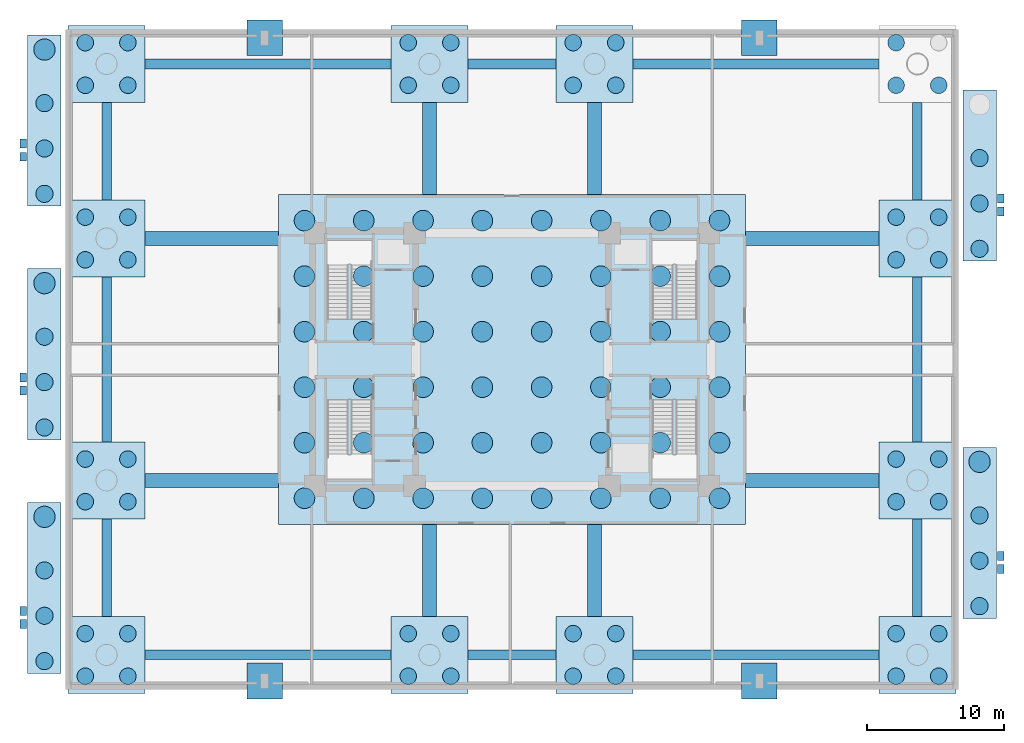
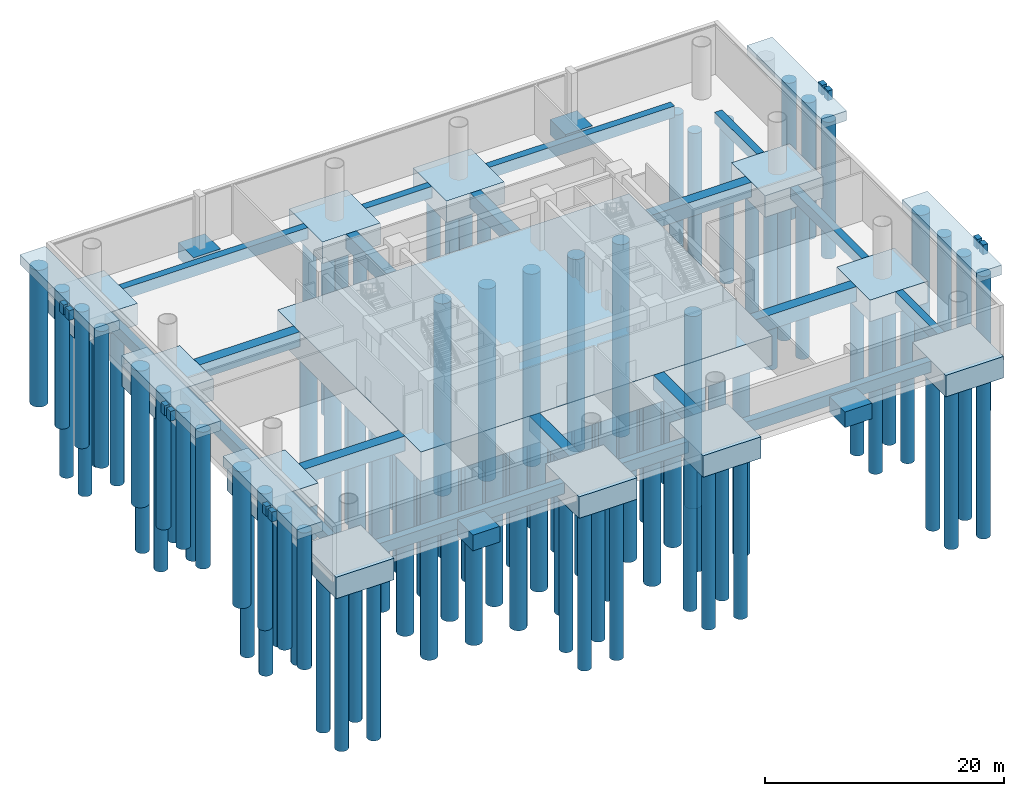
# One storey, part 1 of 7: 114 piles, 51 footings.
"""IFC4 building model written with IfcOpenShell, lengths in metres."""

from ifc_helpers import new_model, si_unit, direction, frame, origin, origin_2d, place, context, subcontext, project, spatial, rectangle, circle, extrude, source, transform, mapped, material, layer, layer_set, material_profile, profile_set, type_object, element, save


model = new_model("IFC4")

# Units and contexts
model_context = context("Model", 3, precision=1e-05, world=origin(), true_north=direction((0.0, 1.0)))
body_context = subcontext(model_context, "Body", "Model", "MODEL_VIEW")
ifc_project = project(units=[si_unit("LENGTHUNIT", "METRE"), si_unit("AREAUNIT", "SQUARE_METRE"), si_unit("VOLUMEUNIT", "CUBIC_METRE"), si_unit("PLANEANGLEUNIT", "RADIAN"), si_unit("MASSUNIT", "GRAM", prefix="KILO")], contexts=[model_context])

# Site, building, storey
site_placement = place(None, origin())
site = spatial("IfcSite", under=ifc_project, at=site_placement, CompositionType="ELEMENT")
building_placement = place(site_placement, origin())
building = spatial("IfcBuilding", under=site, at=building_placement, Name="Zahravan Cultural Tower", CompositionType="ELEMENT")
storey_placement = place(building_placement, frame((0.0, 0.0, -5.39990234375)))
storey = spatial("IfcBuildingStorey", under=building, at=storey_placement, Name="B1", CompositionType="ELEMENT", Elevation=-5.39990234375)

# Piles
ifc_material_1 = material(Name="Concrete C45/55", Category="concrete")
ifc_material_profile_1 = material_profile(ifc_material_1, circle(Radius=0.60009765625, at=origin_2d()), Name="PILE-D1200")
ifc_profile_set_1 = profile_set([ifc_material_profile_1], Name="Concrete C45/55")
pile_type_1 = type_object("IfcPileType", Name="PILE-BORED-1200", PredefinedType="BORED", material=ifc_profile_set_1)
for number, where, z_axis, x_axis, name in (
    (1, (4.949951171875, 3.949951171875, -2.10009765625), (0.0, 0.0, -1.0), (1.0, 0.0, 0.0), "Cap Bored Pile C01"),
    (2, (4.949951171875, 7.050048828125, -2.10009765625), (0.0, 0.0, -1.0), (1.0, 0.0, 0.0), "Cap Bored Pile C02"),
    (3, (8.050048828125, 3.949951171875, -2.10009765625), (0.0, 0.0, -1.0), (1.0, 0.0, 0.0), "Cap Bored Pile C03"),
    (4, (8.050048828125, 7.050048828125, -2.10009765625), (0.0, 0.0, -1.0), (1.0, 0.0, 0.0), "Cap Bored Pile C04"),
    (5, (28.449951171875, 3.949951171875, -2.10009765625), (0.0, 0.0, -1.0), (1.0, 0.0, 0.0), "Cap Bored Pile C05"),
    (6, (28.449951171875, 7.050048828125, -2.10009765625), (0.0, 0.0, -1.0), (1.0, 0.0, 0.0), "Cap Bored Pile C06"),
    (7, (31.550048828125, 3.949951171875, -2.10009765625), (0.0, 0.0, -1.0), (1.0, 0.0, 0.0), "Cap Bored Pile C07"),
    (8, (31.550048828125, 7.050048828125, -2.10009765625), (0.0, 0.0, -1.0), (1.0, 0.0, 0.0), "Cap Bored Pile C08"),
    (9, (40.449951171875, 3.949951171875, -2.10009765625), (0.0, 0.0, -1.0), (1.0, 0.0, 0.0), "Cap Bored Pile C09"),
    (10, (40.449951171875, 7.050048828125, -2.10009765625), (0.0, 0.0, -1.0), (1.0, 0.0, 0.0), "Cap Bored Pile C10"),
    (11, (43.550048828125, 3.949951171875, -2.10009765625), (0.0, 0.0, -1.0), (1.0, 0.0, 0.0), "Cap Bored Pile C11"),
    (12, (43.550048828125, 7.050048828125, -2.10009765625), (0.0, 0.0, -1.0), (1.0, 0.0, 0.0), "Cap Bored Pile C12"),
    (13, (63.949951171875, 3.949951171875, -2.10009765625), (0.0, 0.0, -1.0), (1.0, 0.0, 0.0), "Cap Bored Pile C13"),
    (14, (63.949951171875, 7.050048828125, -2.10009765625), (0.0, 0.0, -1.0), (1.0, 0.0, 0.0), "Cap Bored Pile C14"),
    (15, (67.050048828125, 3.949951171875, -2.10009765625), (0.0, 0.0, -1.0), (1.0, 0.0, 0.0), "Cap Bored Pile C15"),
    (16, (67.050048828125, 7.050048828125, -2.10009765625), (0.0, 0.0, -1.0), (1.0, 0.0, 0.0), "Cap Bored Pile C16"),
    (17, (4.949951171875, 16.64990234375, -2.10009765625), (0.0, 0.0, -1.0), (1.0, 0.0, 0.0), "Cap Bored Pile C17"),
    (18, (4.949951171875, 19.75, -2.10009765625), (0.0, 0.0, -1.0), (1.0, 0.0, 0.0), "Cap Bored Pile C18"),
    (19, (8.050048828125, 16.64990234375, -2.10009765625), (0.0, 0.0, -1.0), (1.0, 0.0, 0.0), "Cap Bored Pile C19"),
    (20, (8.050048828125, 19.75, -2.10009765625), (0.0, 0.0, -1.0), (1.0, 0.0, 0.0), "Cap Bored Pile C20"),
    (21, (63.949951171875, 16.64990234375, -2.10009765625), (0.0, 0.0, -1.0), (1.0, 0.0, 0.0), "Cap Bored Pile C21"),
    (22, (63.949951171875, 19.75, -2.10009765625), (0.0, 0.0, -1.0), (1.0, 0.0, 0.0), "Cap Bored Pile C22"),
    (23, (67.050048828125, 16.64990234375, -2.10009765625), (0.0, 0.0, -1.0), (1.0, 0.0, 0.0), "Cap Bored Pile C23"),
    (24, (67.050048828125, 19.75, -2.10009765625), (0.0, 0.0, -1.0), (1.0, 0.0, 0.0), "Cap Bored Pile C24"),
    (25, (4.949951171875, 34.25, -2.10009765625), (0.0, 0.0, -1.0), (1.0, 0.0, 0.0), "Cap Bored Pile C25"),
    (26, (4.949951171875, 37.35009765625, -2.10009765625), (0.0, 0.0, -1.0), (1.0, 0.0, 0.0), "Cap Bored Pile C26"),
    (27, (8.050048828125, 34.25, -2.10009765625), (0.0, 0.0, -1.0), (1.0, 0.0, 0.0), "Cap Bored Pile C27"),
    (28, (8.050048828125, 37.35009765625, -2.10009765625), (0.0, 0.0, -1.0), (1.0, 0.0, 0.0), "Cap Bored Pile C28"),
    (29, (63.949951171875, 34.25, -2.10009765625), (0.0, 0.0, -1.0), (1.0, 0.0, 0.0), "Cap Bored Pile C29"),
    (30, (63.949951171875, 37.35009765625, -2.10009765625), (0.0, 0.0, -1.0), (1.0, 0.0, 0.0), "Cap Bored Pile C30"),
    (31, (67.050048828125, 34.25, -2.10009765625), (0.0, 0.0, -1.0), (1.0, 0.0, 0.0), "Cap Bored Pile C31"),
    (32, (67.050048828125, 37.35009765625, -2.10009765625), (0.0, 0.0, -1.0), (1.0, 0.0, 0.0), "Cap Bored Pile C32"),
    (33, (4.949951171875, 46.949951171875, -2.10009765625), (0.0, 0.0, -1.0), (1.0, 0.0, 0.0), "Cap Bored Pile C33"),
    (34, (4.949951171875, 50.050048828125, -2.10009765625), (0.0, 0.0, -1.0), (1.0, 0.0, 0.0), "Cap Bored Pile C34"),
    (35, (8.050048828125, 46.949951171875, -2.10009765625), (0.0, 0.0, -1.0), (1.0, 0.0, 0.0), "Cap Bored Pile C35"),
    (36, (8.050048828125, 50.050048828125, -2.10009765625), (0.0, 0.0, -1.0), (1.0, 0.0, 0.0), "Cap Bored Pile C36"),
    (37, (28.449951171875, 46.949951171875, -2.10009765625), (0.0, 0.0, -1.0), (1.0, 0.0, 0.0), "Cap Bored Pile C37"),
    (38, (28.449951171875, 50.050048828125, -2.10009765625), (0.0, 0.0, -1.0), (1.0, 0.0, 0.0), "Cap Bored Pile C38"),
    (39, (31.550048828125, 46.949951171875, -2.10009765625), (0.0, 0.0, -1.0), (1.0, 0.0, 0.0), "Cap Bored Pile C39"),
    (40, (31.550048828125, 50.050048828125, -2.10009765625), (0.0, 0.0, -1.0), (1.0, 0.0, 0.0), "Cap Bored Pile C40"),
    (41, (40.449951171875, 46.949951171875, -2.10009765625), (0.0, 0.0, -1.0), (1.0, 0.0, 0.0), "Cap Bored Pile C41"),
    (42, (40.449951171875, 50.050048828125, -2.10009765625), (0.0, 0.0, -1.0), (1.0, 0.0, 0.0), "Cap Bored Pile C42"),
    (43, (43.550048828125, 46.949951171875, -2.10009765625), (0.0, 0.0, -1.0), (1.0, 0.0, 0.0), "Cap Bored Pile C43"),
    (44, (43.550048828125, 50.050048828125, -2.10009765625), (0.0, 0.0, -1.0), (1.0, 0.0, 0.0), "Cap Bored Pile C44"),
    (45, (63.949951171875, 46.949951171875, -2.10009765625), (0.0, 0.0, -1.0), (1.0, 0.0, 0.0), "Cap Bored Pile C45"),
    (46, (63.949951171875, 50.050048828125, -2.10009765625), (0.0, 0.0, -1.0), (1.0, 0.0, 0.0), "Cap Bored Pile C46"),
    (47, (67.050048828125, 46.949951171875, -2.10009765625), (0.0, 0.0, -1.0), (1.0, 0.0, 0.0), "Cap Bored Pile C47"),
):
    element("IfcPile", number, at=place(storey_placement, frame(where, z_axis=z_axis, x_axis=x_axis)), inside=storey, type_object=pile_type_1, Name=name, PredefinedType="BORED", context=body_context, shape_type="SweptSolid", body=[
        extrude(circle(Radius=0.60009765625, at=origin_2d()), origin(), (0.0, 0.0, 1.0), 16.5),
    ])
ifc_material_profile_2 = material_profile(ifc_material_1, circle(Radius=0.625, at=origin_2d()), Name="PILE-D1250")
ifc_profile_set_2 = profile_set([ifc_material_profile_2], Name="Concrete C45/55")
pile_type_2 = type_object("IfcPileType", Name="PILE-BORED-1250", PredefinedType="BORED", material=ifc_profile_set_2)
for number, where, z_axis, x_axis, name in (
    (48, (1.97998046875, 5.050048828125, 4.14990234375), (0.0, 0.0, -1.0), (1.0, 0.0, 0.0), "Ramp Cap Bored Pile RMP-1-1"),
    (49, (1.97998046875, 8.35009765625, 4.14990234375), (0.0, 0.0, -1.0), (1.0, 0.0, 0.0), "Ramp Cap Bored Pile RMP-1-2"),
    (50, (1.97998046875, 11.64990234375, 4.14990234375), (0.0, 0.0, -1.0), (1.0, 0.0, 0.0), "Ramp Cap Bored Pile RMP-1-3"),
    (51, (1.97998046875, 22.050048828125, 4.14990234375), (0.0, 0.0, -1.0), (1.0, 0.0, 0.0), "Ramp Cap Bored Pile RMP-2-1"),
    (52, (1.97998046875, 25.35009765625, 4.14990234375), (0.0, 0.0, -1.0), (1.0, 0.0, 0.0), "Ramp Cap Bored Pile RMP-2-2"),
    (53, (1.97998046875, 28.64990234375, 4.14990234375), (0.0, 0.0, -1.0), (1.0, 0.0, 0.0), "Ramp Cap Bored Pile RMP-2-3"),
    (54, (1.97998046875, 39.050048828125, 4.14990234375), (0.0, 0.0, -1.0), (1.0, 0.0, 0.0), "Ramp Cap Bored Pile RMP-3-1"),
    (55, (1.97998046875, 42.35009765625, 4.14990234375), (0.0, 0.0, -1.0), (1.0, 0.0, 0.0), "Ramp Cap Bored Pile RMP-3-2"),
    (56, (1.97998046875, 45.64990234375, 4.14990234375), (0.0, 0.0, -1.0), (1.0, 0.0, 0.0), "Ramp Cap Bored Pile RMP-3-3"),
    (57, (70.02001953125, 9.050048828125, 4.14990234375), (0.0, 0.0, -1.0), (1.0, 0.0, 0.0), "Ramp Cap Bored Pile RMP-4-1"),
    (58, (70.02001953125, 12.35009765625, 4.14990234375), (0.0, 0.0, -1.0), (1.0, 0.0, 0.0), "Ramp Cap Bored Pile RMP-4-2"),
    (59, (70.02001953125, 15.64990234375, 4.14990234375), (0.0, 0.0, -1.0), (1.0, 0.0, 0.0), "Ramp Cap Bored Pile RMP-4-3"),
    (60, (70.02001953125, 35.050048828125, 4.14990234375), (0.0, 0.0, -1.0), (1.0, 0.0, 0.0), "Ramp Cap Bored Pile RMP-5-1"),
    (61, (70.02001953125, 38.35009765625, 4.14990234375), (0.0, 0.0, -1.0), (1.0, 0.0, 0.0), "Ramp Cap Bored Pile RMP-5-2"),
    (62, (70.02001953125, 41.64990234375, 4.14990234375), (0.0, 0.0, -1.0), (1.0, 0.0, 0.0), "Ramp Cap Bored Pile RMP-5-3"),
):
    element("IfcPile", number, at=place(storey_placement, frame(where, z_axis=z_axis, x_axis=x_axis)), inside=storey, type_object=pile_type_2, Name=name, PredefinedType="BORED", context=body_context, shape_type="SweptSolid", body=[
        extrude(circle(Radius=0.625, at=origin_2d()), origin(), (0.0, 0.0, 1.0), 14.0),
    ])
ifc_material_profile_3 = material_profile(ifc_material_1, circle(Radius=0.75, at=origin_2d()), Name="PILE-D1500")
ifc_profile_set_3 = profile_set([ifc_material_profile_3], Name="Concrete C45/55")
pile_type_3 = type_object("IfcPileType", Name="PILE-BORED-1500", PredefinedType="BORED", material=ifc_profile_set_3)
for number, where, z_axis, x_axis, name in (
    (63, (20.89990234375, 16.89990234375, -2.900146484375), (0.0, 0.0, -1.0), (1.0, 0.0, 0.0), "Core Raft Bored Pile R01"),
    (64, (20.89990234375, 20.93994140625, -2.900146484375), (0.0, 0.0, -1.0), (1.0, 0.0, 0.0), "Core Raft Bored Pile R02"),
    (65, (20.89990234375, 24.97998046875, -2.900146484375), (0.0, 0.0, -1.0), (1.0, 0.0, 0.0), "Core Raft Bored Pile R03"),
    (66, (20.89990234375, 29.02001953125, -2.900146484375), (0.0, 0.0, -1.0), (1.0, 0.0, 0.0), "Core Raft Bored Pile R04"),
    (67, (20.89990234375, 33.06005859375, -2.900146484375), (0.0, 0.0, -1.0), (1.0, 0.0, 0.0), "Core Raft Bored Pile R05"),
    (68, (20.89990234375, 37.10009765625, -2.900146484375), (0.0, 0.0, -1.0), (1.0, 0.0, 0.0), "Core Raft Bored Pile R06"),
    (69, (25.21435546875, 16.89990234375, -2.900146484375), (0.0, 0.0, -1.0), (1.0, 0.0, 0.0), "Core Raft Bored Pile R07"),
    (70, (25.21435546875, 20.93994140625, -2.900146484375), (0.0, 0.0, -1.0), (1.0, 0.0, 0.0), "Core Raft Bored Pile R08"),
    (71, (25.21435546875, 24.97998046875, -2.900146484375), (0.0, 0.0, -1.0), (1.0, 0.0, 0.0), "Core Raft Bored Pile R09"),
    (72, (25.21435546875, 29.02001953125, -2.900146484375), (0.0, 0.0, -1.0), (1.0, 0.0, 0.0), "Core Raft Bored Pile R10"),
    (73, (25.21435546875, 33.06005859375, -2.900146484375), (0.0, 0.0, -1.0), (1.0, 0.0, 0.0), "Core Raft Bored Pile R11"),
    (74, (25.21435546875, 37.10009765625, -2.900146484375), (0.0, 0.0, -1.0), (1.0, 0.0, 0.0), "Core Raft Bored Pile R12"),
    (75, (29.528564453125, 16.89990234375, -2.900146484375), (0.0, 0.0, -1.0), (1.0, 0.0, 0.0), "Core Raft Bored Pile R13"),
    (76, (29.528564453125, 20.93994140625, -2.900146484375), (0.0, 0.0, -1.0), (1.0, 0.0, 0.0), "Core Raft Bored Pile R14"),
    (77, (29.528564453125, 24.97998046875, -2.900146484375), (0.0, 0.0, -1.0), (1.0, 0.0, 0.0), "Core Raft Bored Pile R15"),
    (78, (29.528564453125, 29.02001953125, -2.900146484375), (0.0, 0.0, -1.0), (1.0, 0.0, 0.0), "Core Raft Bored Pile R16"),
    (79, (29.528564453125, 33.06005859375, -2.900146484375), (0.0, 0.0, -1.0), (1.0, 0.0, 0.0), "Core Raft Bored Pile R17"),
    (80, (29.528564453125, 37.10009765625, -2.900146484375), (0.0, 0.0, -1.0), (1.0, 0.0, 0.0), "Core Raft Bored Pile R18"),
    (81, (33.843017578125, 16.89990234375, -2.900146484375), (0.0, 0.0, -1.0), (1.0, 0.0, 0.0), "Core Raft Bored Pile R19"),
    (82, (33.843017578125, 20.93994140625, -2.900146484375), (0.0, 0.0, -1.0), (1.0, 0.0, 0.0), "Core Raft Bored Pile R20"),
    (83, (33.843017578125, 24.97998046875, -2.900146484375), (0.0, 0.0, -1.0), (1.0, 0.0, 0.0), "Core Raft Bored Pile R21"),
    (84, (33.843017578125, 29.02001953125, -2.900146484375), (0.0, 0.0, -1.0), (1.0, 0.0, 0.0), "Core Raft Bored Pile R22"),
    (85, (33.843017578125, 33.06005859375, -2.900146484375), (0.0, 0.0, -1.0), (1.0, 0.0, 0.0), "Core Raft Bored Pile R23"),
    (86, (33.843017578125, 37.10009765625, -2.900146484375), (0.0, 0.0, -1.0), (1.0, 0.0, 0.0), "Core Raft Bored Pile R24"),
    (87, (38.156982421875, 16.89990234375, -2.900146484375), (0.0, 0.0, -1.0), (1.0, 0.0, 0.0), "Core Raft Bored Pile R25"),
    (88, (38.156982421875, 20.93994140625, -2.900146484375), (0.0, 0.0, -1.0), (1.0, 0.0, 0.0), "Core Raft Bored Pile R26"),
    (89, (38.156982421875, 24.97998046875, -2.900146484375), (0.0, 0.0, -1.0), (1.0, 0.0, 0.0), "Core Raft Bored Pile R27"),
    (90, (38.156982421875, 29.02001953125, -2.900146484375), (0.0, 0.0, -1.0), (1.0, 0.0, 0.0), "Core Raft Bored Pile R28"),
    (91, (38.156982421875, 33.06005859375, -2.900146484375), (0.0, 0.0, -1.0), (1.0, 0.0, 0.0), "Core Raft Bored Pile R29"),
    (92, (38.156982421875, 37.10009765625, -2.900146484375), (0.0, 0.0, -1.0), (1.0, 0.0, 0.0), "Core Raft Bored Pile R30"),
    (93, (42.471435546875, 16.89990234375, -2.900146484375), (0.0, 0.0, -1.0), (1.0, 0.0, 0.0), "Core Raft Bored Pile R31"),
    (94, (42.471435546875, 20.93994140625, -2.900146484375), (0.0, 0.0, -1.0), (1.0, 0.0, 0.0), "Core Raft Bored Pile R32"),
    (95, (42.471435546875, 24.97998046875, -2.900146484375), (0.0, 0.0, -1.0), (1.0, 0.0, 0.0), "Core Raft Bored Pile R33"),
    (96, (42.471435546875, 29.02001953125, -2.900146484375), (0.0, 0.0, -1.0), (1.0, 0.0, 0.0), "Core Raft Bored Pile R34"),
    (97, (42.471435546875, 33.06005859375, -2.900146484375), (0.0, 0.0, -1.0), (1.0, 0.0, 0.0), "Core Raft Bored Pile R35"),
    (98, (42.471435546875, 37.10009765625, -2.900146484375), (0.0, 0.0, -1.0), (1.0, 0.0, 0.0), "Core Raft Bored Pile R36"),
    (99, (46.78564453125, 16.89990234375, -2.900146484375), (0.0, 0.0, -1.0), (1.0, 0.0, 0.0), "Core Raft Bored Pile R37"),
    (100, (46.78564453125, 20.93994140625, -2.900146484375), (0.0, 0.0, -1.0), (1.0, 0.0, 0.0), "Core Raft Bored Pile R38"),
    (101, (46.78564453125, 24.97998046875, -2.900146484375), (0.0, 0.0, -1.0), (1.0, 0.0, 0.0), "Core Raft Bored Pile R39"),
    (102, (46.78564453125, 29.02001953125, -2.900146484375), (0.0, 0.0, -1.0), (1.0, 0.0, 0.0), "Core Raft Bored Pile R40"),
    (103, (46.78564453125, 33.06005859375, -2.900146484375), (0.0, 0.0, -1.0), (1.0, 0.0, 0.0), "Core Raft Bored Pile R41"),
    (104, (46.78564453125, 37.10009765625, -2.900146484375), (0.0, 0.0, -1.0), (1.0, 0.0, 0.0), "Core Raft Bored Pile R42"),
    (105, (51.10009765625, 16.89990234375, -2.900146484375), (0.0, 0.0, -1.0), (1.0, 0.0, 0.0), "Core Raft Bored Pile R43"),
    (106, (51.10009765625, 20.93994140625, -2.900146484375), (0.0, 0.0, -1.0), (1.0, 0.0, 0.0), "Core Raft Bored Pile R44"),
    (107, (51.10009765625, 24.97998046875, -2.900146484375), (0.0, 0.0, -1.0), (1.0, 0.0, 0.0), "Core Raft Bored Pile R45"),
    (108, (51.10009765625, 29.02001953125, -2.900146484375), (0.0, 0.0, -1.0), (1.0, 0.0, 0.0), "Core Raft Bored Pile R46"),
    (109, (51.10009765625, 33.06005859375, -2.900146484375), (0.0, 0.0, -1.0), (1.0, 0.0, 0.0), "Core Raft Bored Pile R47"),
    (110, (51.10009765625, 37.10009765625, -2.900146484375), (0.0, 0.0, -1.0), (1.0, 0.0, 0.0), "Core Raft Bored Pile R48"),
):
    element("IfcPile", number, at=place(storey_placement, frame(where, z_axis=z_axis, x_axis=x_axis)), inside=storey, type_object=pile_type_3, Name=name, PredefinedType="BORED", context=body_context, shape_type="SweptSolid", body=[
        extrude(circle(Radius=0.75, at=origin_2d()), origin(), (0.0, 0.0, 1.0), 19.699951171875),
    ])
ifc_material_profile_4 = material_profile(ifc_material_1, circle(Radius=0.77490234375, at=origin_2d()), Name="PILE-D1550")
ifc_profile_set_4 = profile_set([ifc_material_profile_4], Name="Concrete C45/55")
pile_type_4 = type_object("IfcPileType", Name="PILE-BORED-1550", PredefinedType="BORED", material=ifc_profile_set_4)
for number, where, z_axis, x_axis, name in (
    (111, (1.97998046875, 15.550048828125, 4.14990234375), (0.0, 0.0, -1.0), (1.0, 0.0, 0.0), "Ramp Flight Cap Pile RMP-1-4"),
    (112, (1.97998046875, 32.550048828125, 4.14990234375), (0.0, 0.0, -1.0), (1.0, 0.0, 0.0), "Ramp Flight Cap Pile RMP-2-4"),
    (113, (1.97998046875, 49.550048828125, 4.14990234375), (0.0, 0.0, -1.0), (1.0, 0.0, 0.0), "Ramp Flight Cap Pile RMP-3-4"),
    (114, (70.02001953125, 19.550048828125, 4.14990234375), (0.0, 0.0, -1.0), (1.0, 0.0, 0.0), "Ramp Flight Cap Pile RMP-4-4"),
):
    element("IfcPile", number, at=place(storey_placement, frame(where, z_axis=z_axis, x_axis=x_axis)), inside=storey, type_object=pile_type_4, Name=name, PredefinedType="BORED", context=body_context, shape_type="SweptSolid", body=[
        extrude(circle(Radius=0.77490234375, at=origin_2d()), origin(), (0.0, 0.0, 1.0), 14.0),
    ])

# Footings
ifc_material_2 = material(Name="Concrete C50/60", Category="concrete")
ifc_layer_1 = layer(ifc_material_2, 3.0)
ifc_layer_set_1 = layer_set([ifc_layer_1], Name="Concrete C50/60")
footing_type_1 = type_object("IfcFootingType", Name="FT-RAFT-3000", PredefinedType="PAD_FOOTING", material=ifc_layer_set_1)
shared_shape_1 = source(origin(), body_context, "Body", "SweptSolid", [
    extrude(rectangle(XDim=34.0, YDim=24.0, at=origin_2d()), origin(), (0.0, 0.0, 1.0), 3.0),
])
footing_placement = place(storey_placement, frame((36.0, 27.0, -3.0), z_axis=(0.0, 0.0, 1.0), x_axis=(1.0, 0.0, 0.0)))
element("IfcFooting", 115, at=footing_placement, inside=storey, type_object=footing_type_1, Name="Central Split-Core Piled Raft FT-RAFT", PredefinedType="PAD_FOOTING", context=body_context, shape_type="MappedRepresentation", body=[
    mapped(shared_shape_1, transform((0.0, 0.0, 0.0), x_axis=(1.0, 0.0, 0.0), y_axis=(0.0, 1.0, 0.0), z_axis=(0.0, 0.0, 1.0), scale=1.0)),
])
ifc_layer_2 = layer(ifc_material_2, 2.199951171875)
ifc_layer_set_2 = layer_set([ifc_layer_2], Name="Concrete C50/60")
footing_type_2 = type_object("IfcFootingType", Name="FT-PC-5600X2200", PredefinedType="PILE_CAP", material=ifc_layer_set_2)
shared_shape_2 = source(origin(), body_context, "Body", "SweptSolid", [
    extrude(rectangle(XDim=5.60009765625, YDim=5.60009765625, at=origin_2d()), origin(), (0.0, 0.0, 1.0), 2.199951171875),
])
for number, where, z_axis, x_axis, name in (
    (116, (6.5, 5.5, -2.2001953125), (0.0, 0.0, 1.0), (1.0, 0.0, 0.0), "Pilotis Combined Pile Cap PC-01"),
    (117, (30.0, 5.5, -2.2001953125), (0.0, 0.0, 1.0), (1.0, 0.0, 0.0), "Pilotis Combined Pile Cap PC-02"),
    (118, (42.0, 5.5, -2.2001953125), (0.0, 0.0, 1.0), (1.0, 0.0, 0.0), "Pilotis Combined Pile Cap PC-03"),
    (119, (65.5, 5.5, -2.2001953125), (0.0, 0.0, 1.0), (1.0, 0.0, 0.0), "Pilotis Combined Pile Cap PC-04"),
    (120, (6.5, 18.199951171875, -2.2001953125), (0.0, 0.0, 1.0), (1.0, 0.0, 0.0), "Pilotis Combined Pile Cap PC-05"),
    (121, (65.5, 18.199951171875, -2.2001953125), (0.0, 0.0, 1.0), (1.0, 0.0, 0.0), "Pilotis Combined Pile Cap PC-06"),
    (122, (6.5, 35.800048828125, -2.2001953125), (0.0, 0.0, 1.0), (1.0, 0.0, 0.0), "Pilotis Combined Pile Cap PC-07"),
    (123, (65.5, 35.800048828125, -2.2001953125), (0.0, 0.0, 1.0), (1.0, 0.0, 0.0), "Pilotis Combined Pile Cap PC-08"),
    (124, (6.5, 48.5, -2.2001953125), (0.0, 0.0, 1.0), (1.0, 0.0, 0.0), "Pilotis Combined Pile Cap PC-09"),
    (125, (30.0, 48.5, -2.2001953125), (0.0, 0.0, 1.0), (1.0, 0.0, 0.0), "Pilotis Combined Pile Cap PC-10"),
    (126, (42.0, 48.5, -2.2001953125), (0.0, 0.0, 1.0), (1.0, 0.0, 0.0), "Pilotis Combined Pile Cap PC-11"),
):
    element("IfcFooting", number, at=place(storey_placement, frame(where, z_axis=z_axis, x_axis=x_axis)), inside=storey, type_object=footing_type_2, Name=name, PredefinedType="PILE_CAP", context=body_context, shape_type="MappedRepresentation", body=[
        mapped(shared_shape_2, transform((0.0, 0.0, 0.0), x_axis=(1.0, 0.0, 0.0), y_axis=(0.0, 1.0, 0.0), z_axis=(0.0, 0.0, 1.0), scale=1.0)),
    ])
ifc_layer_3 = layer(ifc_material_2, 1.60009765625)
ifc_layer_set_3 = layer_set([ifc_layer_3], Name="Concrete C50/60")
footing_type_3 = type_object("IfcFootingType", Name="FT-PAD-2600", PredefinedType="PAD_FOOTING", material=ifc_layer_set_3)
shared_shape_3 = source(origin(), body_context, "Body", "SweptSolid", [
    extrude(rectangle(XDim=2.60009765625, YDim=2.60009765625, at=origin_2d()), origin(), (0.0, 0.0, 1.0), 1.60009765625),
])
for number, where, z_axis, x_axis, name in (
    (127, (18.0, 3.60009765625, -1.60009765625), (0.0, 0.0, 1.0), (1.0, 0.0, 0.0), "Pilaster Pad Footing PAD-S1"),
    (128, (54.0, 3.60009765625, -1.60009765625), (0.0, 0.0, 1.0), (1.0, 0.0, 0.0), "Pilaster Pad Footing PAD-S2"),
    (129, (18.0, 50.39990234375, -1.60009765625), (0.0, 0.0, 1.0), (1.0, 0.0, 0.0), "Pilaster Pad Footing PAD-N1"),
    (130, (54.0, 50.39990234375, -1.60009765625), (0.0, 0.0, 1.0), (1.0, 0.0, 0.0), "Pilaster Pad Footing PAD-N2"),
):
    element("IfcFooting", number, at=place(storey_placement, frame(where, z_axis=z_axis, x_axis=x_axis)), inside=storey, type_object=footing_type_3, Name=name, PredefinedType="PAD_FOOTING", context=body_context, shape_type="MappedRepresentation", body=[
        mapped(shared_shape_3, transform((0.0, 0.0, 0.0), x_axis=(1.0, 0.0, 0.0), y_axis=(0.0, 1.0, 0.0), z_axis=(0.0, 0.0, 1.0), scale=1.0)),
    ])
footing_type_4 = type_object("IfcFootingType", Name="FT-PC-RMP", PredefinedType="PILE_CAP", material=ifc_material_2)
shared_shape_4 = source(origin(), body_context, "Body", "SweptSolid", [
    extrude(rectangle(XDim=2.43994140625, YDim=12.449951171875, at=origin_2d()), origin(), (0.0, 0.0, 1.0), 1.0),
])
for number, where, z_axis, x_axis, name in (
    (131, (1.97998046875, 10.375, 4.010009765625), (0.0, 0.0, 1.0), (1.0, 0.0, 0.0), "Accessible Ramp Combined Pile Cap RMP-01"),
    (132, (1.97998046875, 27.375, 4.010009765625), (0.0, 0.0, 1.0), (1.0, 0.0, 0.0), "Accessible Ramp Combined Pile Cap RMP-02"),
    (133, (1.97998046875, 44.375, 4.010009765625), (0.0, 0.0, 1.0), (1.0, 0.0, 0.0), "Accessible Ramp Combined Pile Cap RMP-03"),
    (134, (70.02001953125, 14.375, 4.010009765625), (0.0, 0.0, 1.0), (1.0, 0.0, 0.0), "Accessible Ramp Combined Pile Cap RMP-04"),
    (135, (70.02001953125, 40.375, 4.010009765625), (0.0, 0.0, 1.0), (1.0, 0.0, 0.0), "Accessible Ramp Combined Pile Cap RMP-05"),
):
    element("IfcFooting", number, at=place(storey_placement, frame(where, z_axis=z_axis, x_axis=x_axis)), inside=storey, type_object=footing_type_4, Name=name, PredefinedType="PILE_CAP", context=body_context, shape_type="MappedRepresentation", body=[
        mapped(shared_shape_4, transform((0.0, 0.0, 0.0), x_axis=(1.0, 0.0, 0.0), y_axis=(0.0, 1.0, 0.0), z_axis=(0.0, 0.0, 1.0), scale=1.0)),
    ])
ifc_layer_4 = layer(ifc_material_2, 1.0)
ifc_layer_set_4 = layer_set([ifc_layer_4], Name="Concrete C50/60")
footing_type_5 = type_object("IfcFootingType", Name="FT-PAD-480", PredefinedType="PAD_FOOTING", material=ifc_layer_set_4)
shared_shape_5 = source(origin(), body_context, "Body", "SweptSolid", [
    extrude(rectangle(XDim=0.47998046875, YDim=0.64990234375, at=origin_2d()), origin(), (0.0, 0.0, 1.0), 1.0),
])
for number, where, z_axis, x_axis, name in (
    (136, (0.43994140625, 7.75, 4.010009765625), (0.0, 0.0, 1.0), (1.0, 0.0, 0.0), "Ramp Landing Pad Footing 1-1"),
    (137, (0.43994140625, 8.699951171875, 4.010009765625), (0.0, 0.0, 1.0), (1.0, 0.0, 0.0), "Ramp Landing Pad Footing 1-2"),
    (138, (0.43994140625, 24.75, 4.010009765625), (0.0, 0.0, 1.0), (1.0, 0.0, 0.0), "Ramp Landing Pad Footing 2-1"),
    (139, (0.43994140625, 25.699951171875, 4.010009765625), (0.0, 0.0, 1.0), (1.0, 0.0, 0.0), "Ramp Landing Pad Footing 2-2"),
    (140, (0.43994140625, 41.75, 4.010009765625), (0.0, 0.0, 1.0), (1.0, 0.0, 0.0), "Ramp Landing Pad Footing 3-1"),
    (141, (0.43994140625, 42.699951171875, 4.010009765625), (0.0, 0.0, 1.0), (1.0, 0.0, 0.0), "Ramp Landing Pad Footing 3-2"),
    (142, (71.56005859375, 11.75, 4.010009765625), (0.0, 0.0, 1.0), (1.0, 0.0, 0.0), "Ramp Landing Pad Footing 4-1"),
    (143, (71.56005859375, 12.699951171875, 4.010009765625), (0.0, 0.0, 1.0), (1.0, 0.0, 0.0), "Ramp Landing Pad Footing 4-2"),
    (144, (71.56005859375, 37.75, 4.010009765625), (0.0, 0.0, 1.0), (1.0, 0.0, 0.0), "Ramp Landing Pad Footing 5-1"),
    (145, (71.56005859375, 38.699951171875, 4.010009765625), (0.0, 0.0, 1.0), (1.0, 0.0, 0.0), "Ramp Landing Pad Footing 5-2"),
):
    element("IfcFooting", number, at=place(storey_placement, frame(where, z_axis=z_axis, x_axis=x_axis)), inside=storey, type_object=footing_type_5, Name=name, PredefinedType="PAD_FOOTING", context=body_context, shape_type="MappedRepresentation", body=[
        mapped(shared_shape_5, transform((0.0, 0.0, 0.0), x_axis=(1.0, 0.0, 0.0), y_axis=(0.0, 1.0, 0.0), z_axis=(0.0, 0.0, 1.0), scale=1.0)),
    ])
ifc_material_profile_5 = material_profile(ifc_material_2, rectangle(XDim=0.699951171875, YDim=1.14990234375, at=origin_2d()), Name="RC700X1150")
ifc_profile_set_5 = profile_set([ifc_material_profile_5], Name="Concrete C50/60")
footing_type_6 = type_object("IfcFootingType", Name="FT-GB-700X1150", PredefinedType="FOOTING_BEAM", material=ifc_profile_set_5)
shared_shape_6 = source(origin(), body_context, "Body", "SweptSolid", [
    extrude(rectangle(XDim=0.699951171875, YDim=1.14990234375, at=origin_2d()), origin(), (0.0, 0.0, 1.0), 17.89990234375),
])
for number, where, z_axis, x_axis, name in (
    (146, (9.300048828125, 5.5, -0.5751953125), (1.0, 0.0, 0.0), (0.0, 1.0, 0.0), "Foundation Tie Beam GB-S1"),
    (147, (44.800048828125, 5.5, -0.5751953125), (1.0, 0.0, 0.0), (0.0, 1.0, 0.0), "Foundation Tie Beam GB-S3"),
    (148, (9.300048828125, 48.5, -0.5751953125), (1.0, 0.0, 0.0), (0.0, 1.0, 0.0), "Foundation Tie Beam GB-N1"),
    (149, (44.800048828125, 48.5, -0.5751953125), (1.0, 0.0, 0.0), (0.0, 1.0, 0.0), "Foundation Tie Beam GB-N3"),
):
    element("IfcFooting", number, at=place(storey_placement, frame(where, z_axis=z_axis, x_axis=x_axis)), inside=storey, type_object=footing_type_6, Name=name, PredefinedType="FOOTING_BEAM", context=body_context, shape_type="MappedRepresentation", body=[
        mapped(shared_shape_6, transform((0.0, 0.0, 0.0), x_axis=(1.0, 0.0, 0.0), y_axis=(0.0, 1.0, 0.0), z_axis=(0.0, 0.0, 1.0), scale=1.0)),
    ])
shared_shape_7 = source(origin(), body_context, "Body", "SweptSolid", [
    extrude(rectangle(XDim=0.699951171875, YDim=1.14990234375, at=origin_2d()), origin(), (0.0, 0.0, 1.0), 6.39990234375),
])
for number, where, z_axis, x_axis, name in (
    (150, (32.800048828125, 5.5, -0.5751953125), (1.0, 0.0, 0.0), (0.0, 1.0, 0.0), "Foundation Tie Beam GB-S2"),
    (151, (32.800048828125, 48.5, -0.5751953125), (1.0, 0.0, 0.0), (0.0, 1.0, 0.0), "Foundation Tie Beam GB-N2"),
):
    element("IfcFooting", number, at=place(storey_placement, frame(where, z_axis=z_axis, x_axis=x_axis)), inside=storey, type_object=footing_type_6, Name=name, PredefinedType="FOOTING_BEAM", context=body_context, shape_type="MappedRepresentation", body=[
        mapped(shared_shape_7, transform((0.0, 0.0, 0.0), x_axis=(1.0, 0.0, 0.0), y_axis=(0.0, 1.0, 0.0), z_axis=(0.0, 0.0, 1.0), scale=1.0)),
    ])
shared_shape_8 = source(origin(), body_context, "Body", "SweptSolid", [
    extrude(rectangle(XDim=0.699951171875, YDim=1.14990234375, at=origin_2d()), origin(), (0.0, 0.0, 1.0), 7.099853515625),
])
for number, where, z_axis, x_axis, name in (
    (152, (6.5, 8.300048828125, -0.5751953125), (0.0, 1.0, 0.0), (-1.0, 0.0, 0.0), "Foundation Tie Beam GB-W1"),
    (153, (6.5, 38.60009765625, -0.5751953125), (0.0, 1.0, 0.0), (-1.0, 0.0, 0.0), "Foundation Tie Beam GB-W3"),
    (154, (65.5, 8.300048828125, -0.5751953125), (0.0, 1.0, 0.0), (-1.0, 0.0, 0.0), "Foundation Tie Beam GB-E1"),
    (155, (65.5, 38.60009765625, -0.5751953125), (0.0, 1.0, 0.0), (-1.0, 0.0, 0.0), "Foundation Tie Beam GB-E3"),
):
    element("IfcFooting", number, at=place(storey_placement, frame(where, z_axis=z_axis, x_axis=x_axis)), inside=storey, type_object=footing_type_6, Name=name, PredefinedType="FOOTING_BEAM", context=body_context, shape_type="MappedRepresentation", body=[
        mapped(shared_shape_8, transform((0.0, 0.0, 0.0), x_axis=(1.0, 0.0, 0.0), y_axis=(0.0, 1.0, 0.0), z_axis=(0.0, 0.0, 1.0), scale=1.0)),
    ])
shared_shape_9 = source(origin(), body_context, "Body", "SweptSolid", [
    extrude(rectangle(XDim=0.699951171875, YDim=1.14990234375, at=origin_2d()), origin(), (0.0, 0.0, 1.0), 12.0),
])
for number, where, z_axis, x_axis, name in (
    (156, (6.5, 21.0, -0.5751953125), (0.0, 1.0, 0.0), (-1.0, 0.0, 0.0), "Foundation Tie Beam GB-W2"),
    (157, (65.5, 21.0, -0.5751953125), (0.0, 1.0, 0.0), (-1.0, 0.0, 0.0), "Foundation Tie Beam GB-E2"),
):
    element("IfcFooting", number, at=place(storey_placement, frame(where, z_axis=z_axis, x_axis=x_axis)), inside=storey, type_object=footing_type_6, Name=name, PredefinedType="FOOTING_BEAM", context=body_context, shape_type="MappedRepresentation", body=[
        mapped(shared_shape_9, transform((0.0, 0.0, 0.0), x_axis=(1.0, 0.0, 0.0), y_axis=(0.0, 1.0, 0.0), z_axis=(0.0, 0.0, 1.0), scale=1.0)),
    ])
ifc_material_profile_6 = material_profile(ifc_material_2, rectangle(XDim=1.0, YDim=1.5, at=origin_2d()), Name="RC1000X1500")
ifc_profile_set_6 = profile_set([ifc_material_profile_6], Name="Concrete C50/60")
footing_type_7 = type_object("IfcFootingType", Name="FT-GB-1000X1500", PredefinedType="FOOTING_BEAM", material=ifc_profile_set_6)
shared_shape_10 = source(origin(), body_context, "Body", "SweptSolid", [
    extrude(rectangle(XDim=1.0, YDim=1.5, at=origin_2d()), origin(), (0.0, 0.0, 1.0), 6.699951171875),
])
for number, where, z_axis, x_axis, name in (
    (158, (30.0, 8.300048828125, -0.75), (0.0, 1.0, 0.0), (-1.0, 0.0, 0.0), "Foundation Tie Beam GB-R1"),
    (159, (42.0, 8.300048828125, -0.75), (0.0, 1.0, 0.0), (-1.0, 0.0, 0.0), "Foundation Tie Beam GB-R2"),
    (160, (30.0, 39.0, -0.75), (0.0, 1.0, 0.0), (-1.0, 0.0, 0.0), "Foundation Tie Beam GB-R3"),
    (161, (42.0, 39.0, -0.75), (0.0, 1.0, 0.0), (-1.0, 0.0, 0.0), "Foundation Tie Beam GB-R4"),
):
    element("IfcFooting", number, at=place(storey_placement, frame(where, z_axis=z_axis, x_axis=x_axis)), inside=storey, type_object=footing_type_7, Name=name, PredefinedType="FOOTING_BEAM", context=body_context, shape_type="MappedRepresentation", body=[
        mapped(shared_shape_10, transform((0.0, 0.0, 0.0), x_axis=(1.0, 0.0, 0.0), y_axis=(0.0, 1.0, 0.0), z_axis=(0.0, 0.0, 1.0), scale=1.0)),
    ])
shared_shape_11 = source(origin(), body_context, "Body", "SweptSolid", [
    extrude(rectangle(XDim=1.0, YDim=1.5, at=origin_2d()), origin(), (0.0, 0.0, 1.0), 9.699951171875),
])
for number, where, z_axis, x_axis, name in (
    (162, (9.300048828125, 18.199951171875, -0.75), (1.0, 0.0, 0.0), (0.0, 1.0, 0.0), "Foundation Tie Beam GB-R5"),
    (163, (9.300048828125, 35.800048828125, -0.75), (1.0, 0.0, 0.0), (0.0, 1.0, 0.0), "Foundation Tie Beam GB-R6"),
    (164, (53.0, 18.199951171875, -0.75), (1.0, 0.0, 0.0), (0.0, 1.0, 0.0), "Foundation Tie Beam GB-R7"),
    (165, (53.0, 35.800048828125, -0.75), (1.0, 0.0, 0.0), (0.0, 1.0, 0.0), "Foundation Tie Beam GB-R8"),
):
    element("IfcFooting", number, at=place(storey_placement, frame(where, z_axis=z_axis, x_axis=x_axis)), inside=storey, type_object=footing_type_7, Name=name, PredefinedType="FOOTING_BEAM", context=body_context, shape_type="MappedRepresentation", body=[
        mapped(shared_shape_11, transform((0.0, 0.0, 0.0), x_axis=(1.0, 0.0, 0.0), y_axis=(0.0, 1.0, 0.0), z_axis=(0.0, 0.0, 1.0), scale=1.0)),
    ])

save(model, "model.ifc")
